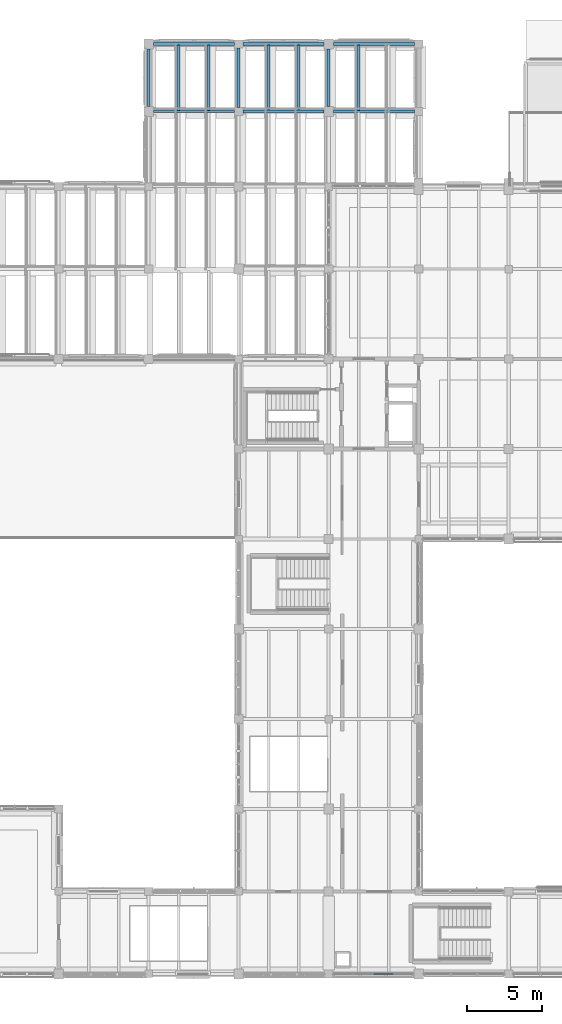
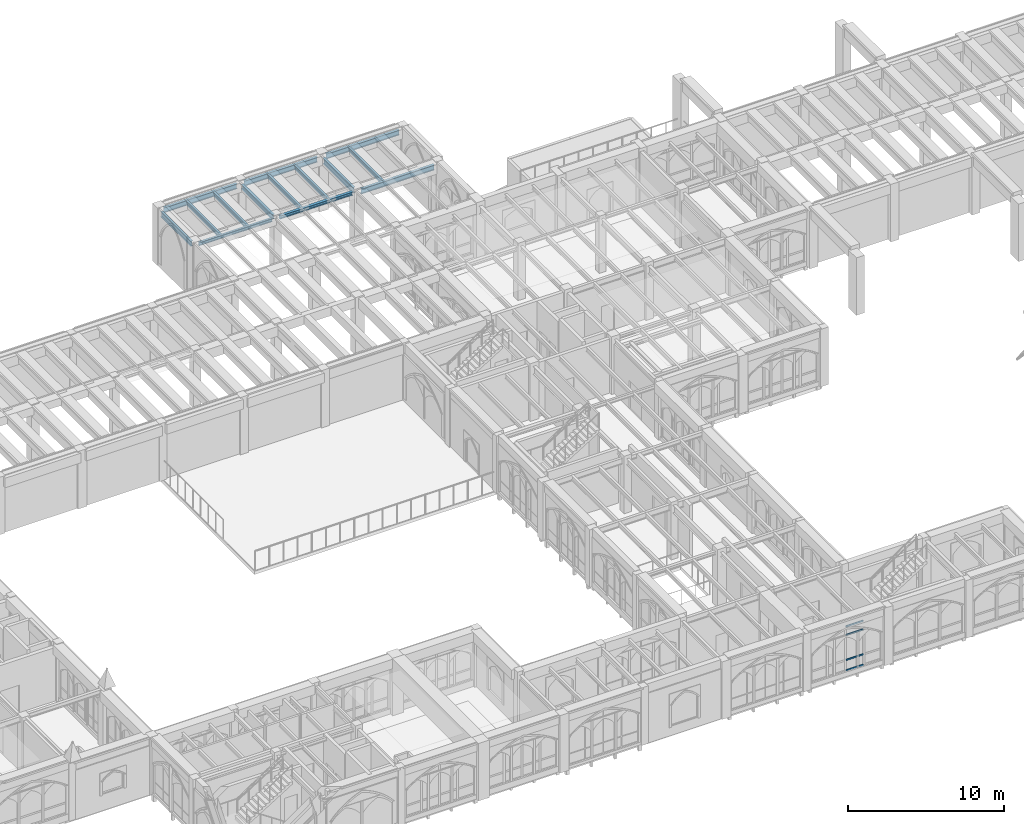
# One storey, part 35 of 127: 14 beams, 4 members, 1 element without a shape of its own.
"""IFC4 building model written with IfcOpenShell, lengths in metres."""

from ifc_helpers import new_model, si_unit, direction, frame, origin, origin_2d, place, context, subcontext, project, spatial, hollow_rectangle, i_section, extrude, material, layer, layer_set, material_profile, profile_set, type_object, element, aggregate, save


model = new_model("IFC4")

# Units and contexts
model_context = context("Model", 3, precision=1e-05, world=origin(), true_north=direction((0.0, 1.0)))
body_context = subcontext(model_context, "Body", "Model", "MODEL_VIEW")
ifc_project = project(units=[si_unit("LENGTHUNIT", "METRE"), si_unit("AREAUNIT", "SQUARE_METRE"), si_unit("VOLUMEUNIT", "CUBIC_METRE"), si_unit("PLANEANGLEUNIT", "RADIAN"), si_unit("MASSUNIT", "GRAM", prefix="KILO")], contexts=[model_context])

# Site, building, storey
site_placement = place(None, origin())
site = spatial("IfcSite", under=ifc_project, at=site_placement, CompositionType="ELEMENT")
building_placement = place(site_placement, origin())
building = spatial("IfcBuilding", under=site, at=building_placement, Name="Cumevento Cable Car Station", CompositionType="ELEMENT")
storey_placement = place(building_placement, frame((0.0, 0.0, 4.5)))
storey = spatial("IfcBuildingStorey", under=building, at=storey_placement, Name="L02", CompositionType="ELEMENT", Elevation=4.5)

# Curtain wall, members
ifc_material_1 = material(Name="Anodised Bronze Aluminium AW-6063-T6", Category="aluminium")
ifc_layer = layer(ifc_material_1, 0.23193359375)
ifc_layer_set = layer_set([ifc_layer], Name="Anodised Bronze Aluminium AW-6063-T6")
curtain_wall_type = type_object("IfcCurtainWallType", Name="Lancet Curtain Wall CW-13 1530", PredefinedType="NOTDEFINED", material=ifc_layer_set)
curtain_wall_placement = place(storey_placement, origin())
curtain_wall = element("IfcCurtainWall", 1, at=curtain_wall_placement, inside=storey, type_object=curtain_wall_type, Name="Lancet Curtain Wall CW-13 L02 #28", PredefinedType="NOTDEFINED")
ifc_material_2 = material(Name="Anodised Bronze Aluminium AW-6063-T6", Category="aluminium")
ifc_material_profile_1 = material_profile(ifc_material_2, hollow_rectangle(XDim=0.06494140625, YDim=0.1201171875, WallThickness=0.00390625, at=origin_2d()), Name="ALUT65x120x4")
ifc_profile_set_1 = profile_set([ifc_material_profile_1], Name="Anodised Bronze Aluminium AW-6063-T6")
member_type = type_object("IfcMemberType", Name="Curtain Transom CWT-01 ALUT65x120x4", PredefinedType="USERDEFINED", material=ifc_profile_set_1)
member_1_placement = place(storey_placement, frame((68.29248046875, 4.0, 0.392578125), z_axis=(-1.0, 0.0, 0.0), x_axis=(0.0, -1.0, 0.0)))
member_1 = element("IfcMember", 2, at=member_1_placement, type_object=member_type, Name="CW-13 transom 2.1", ObjectType="TRANSOM", PredefinedType="USERDEFINED", context=body_context, shape_type="SweptSolid", body=[
    extrude(hollow_rectangle(XDim=0.06494140625, YDim=0.1201171875, WallThickness=0.00390625, at=origin_2d()), origin(), (0.0, 0.0, 1.0), 1.284912109375),
])
member_2_placement = place(storey_placement, frame((68.29248046875, 4.0, 1.2099609375), z_axis=(-1.0, 0.0, 0.0), x_axis=(0.0, -1.0, 0.0)))
member_2 = element("IfcMember", 3, at=member_2_placement, type_object=member_type, Name="CW-13 transom 2.2", ObjectType="TRANSOM", PredefinedType="USERDEFINED", context=body_context, shape_type="SweptSolid", body=[
    extrude(hollow_rectangle(XDim=0.06494140625, YDim=0.1201171875, WallThickness=0.00390625, at=origin_2d()), origin(), (0.0, 0.0, 1.0), 1.284912109375),
])
member_3_placement = place(storey_placement, frame((68.29248046875, 4.0, 3.156982421875), z_axis=(-1.0, 0.0, 0.0), x_axis=(0.0, -1.0, 0.0)))
member_3 = element("IfcMember", 4, at=member_3_placement, type_object=member_type, Name="CW-13 transom 2.3", ObjectType="TRANSOM", PredefinedType="USERDEFINED", context=body_context, shape_type="SweptSolid", body=[
    extrude(hollow_rectangle(XDim=0.06494140625, YDim=0.1201171875, WallThickness=0.00390625, at=origin_2d()), origin(), (0.0, 0.0, 1.0), 1.284912109375),
])
member_4_placement = place(storey_placement, frame((68.29248046875, 4.0, 3.824462890625), z_axis=(-1.0, 0.0, 0.0), x_axis=(0.0, -1.0, 0.0)))
member_4 = element("IfcMember", 5, at=member_4_placement, type_object=member_type, Name="CW-13 transom 2.4", ObjectType="TRANSOM", PredefinedType="USERDEFINED", context=body_context, shape_type="SweptSolid", body=[
    extrude(hollow_rectangle(XDim=0.06494140625, YDim=0.1201171875, WallThickness=0.00390625, at=origin_2d()), origin(), (0.0, 0.0, 1.0), 1.284912109375),
])
aggregate(curtain_wall, [member_1, member_2, member_3, member_4])

# Beams
ifc_material_3 = material(Name="Steel ASTM A572 Grade 50", Category="steel")
ifc_material_profile_2 = material_profile(ifc_material_3, i_section(OverallWidth=0.18994140625, OverallDepth=0.45703125, WebThickness=0.009033203125, FlangeThickness=0.014404296875, at=origin_2d()), Name="W460x74.0")
ifc_profile_set_2 = profile_set([ifc_material_profile_2], Name="Steel ASTM A572 Grade 50")
beam_type_1 = type_object("IfcBeamType", Name="Structural Beam BM-04 W460x74.0", PredefinedType="BEAM", material=ifc_profile_set_2)
beam_1_placement = place(storey_placement, frame((64.0, 61.824951171875, 3.94140625), z_axis=(0.0, 1.0, 0.0), x_axis=(-1.0, 0.0, 0.0)))
element("IfcBeam", 6, at=beam_1_placement, inside=storey, type_object=beam_type_1, Name="Beam BM-04 L02 #647", PredefinedType="BEAM", context=body_context, shape_type="SweptSolid", body=[
    extrude(i_section(OverallWidth=0.18994140625, OverallDepth=0.45703125, WebThickness=0.009033203125, FlangeThickness=0.014404296875, at=origin_2d()), origin(), (0.0, 0.0, 1.0), 3.85009765625),
])
ifc_material_4 = material(Name="Steel ASTM A572 Grade 50", Category="steel")
ifc_material_profile_3 = material_profile(ifc_material_4, i_section(OverallWidth=0.205078125, OverallDepth=0.35400390625, WebThickness=0.009521484375, FlangeThickness=0.016845703125, at=origin_2d()), Name="W360x79.0")
ifc_profile_set_3 = profile_set([ifc_material_profile_3], Name="Steel ASTM A572 Grade 50")
beam_type_2 = type_object("IfcBeamType", Name="Structural Beam BM-05 W360x79.0", PredefinedType="BEAM", material=ifc_profile_set_3)
beam_2_placement = place(storey_placement, frame((58.0, 61.77490234375, 3.992919921875), z_axis=(0.0, 1.0, 0.0), x_axis=(-1.0, 0.0, 0.0)))
element("IfcBeam", 7, at=beam_2_placement, inside=storey, type_object=beam_type_2, Name="Beam BM-05 L02 #645", PredefinedType="BEAM", context=body_context, shape_type="SweptSolid", body=[
    extrude(i_section(OverallWidth=0.205078125, OverallDepth=0.35400390625, WebThickness=0.009521484375, FlangeThickness=0.016845703125, at=origin_2d()), origin(), (0.0, 0.0, 1.0), 3.9501953125),
])
ifc_material_5 = material(Name="Steel ASTM A572 Grade 50", Category="steel")
ifc_material_profile_4 = material_profile(ifc_material_5, i_section(OverallWidth=0.14794921875, OverallDepth=0.26611328125, WebThickness=0.007568359375, FlangeThickness=0.012939453125, at=origin_2d()), Name="W250x44.8")
ifc_profile_set_4 = profile_set([ifc_material_profile_4], Name="Steel ASTM A572 Grade 50")
beam_type_3 = type_object("IfcBeamType", Name="Structural Beam BM-07 W250x44.8", PredefinedType="BEAM", material=ifc_profile_set_4)
beam_3_placement = place(storey_placement, frame((52.324951171875, 61.5, 4.037109375), z_axis=(1.0, 0.0, 0.0), x_axis=(0.0, 1.0, 0.0)))
element("IfcBeam", 8, at=beam_3_placement, inside=storey, type_object=beam_type_3, Name="Beam BM-07 L02 #636", PredefinedType="BEAM", context=body_context, shape_type="SweptSolid", body=[
    extrude(i_section(OverallWidth=0.14794921875, OverallDepth=0.26611328125, WebThickness=0.007568359375, FlangeThickness=0.012939453125, at=origin_2d()), origin(), (0.0, 0.0, 1.0), 5.400146484375),
])
ifc_material_6 = material(Name="Steel ASTM A572 Grade 50", Category="steel")
ifc_material_profile_5 = material_profile(ifc_material_6, i_section(OverallWidth=0.202880859375, OverallDepth=0.251953125, WebThickness=0.008056640625, FlangeThickness=0.013427734375, at=origin_2d()), Name="W250x58.0")
ifc_profile_set_5 = profile_set([ifc_material_profile_5], Name="Steel ASTM A572 Grade 50")
beam_type_4 = type_object("IfcBeamType", Name="Structural Beam BM-08 W250x58.0", PredefinedType="BEAM", material=ifc_profile_set_5)
beam_4_placement = place(storey_placement, frame((58.27490234375, 61.5, 4.0439453125), z_axis=(1.0, 0.0, 0.0), x_axis=(0.0, 1.0, 0.0)))
element("IfcBeam", 9, at=beam_4_placement, inside=storey, type_object=beam_type_4, Name="Beam BM-08 L02 #637", PredefinedType="BEAM", context=body_context, shape_type="SweptSolid", body=[
    extrude(i_section(OverallWidth=0.202880859375, OverallDepth=0.251953125, WebThickness=0.008056640625, FlangeThickness=0.013427734375, at=origin_2d()), origin(), (0.0, 0.0, 1.0), 5.400146484375),
])
ifc_material_7 = material(Name="Steel ASTM A572 Grade 50", Category="steel")
ifc_material_profile_6 = material_profile(ifc_material_7, i_section(OverallWidth=0.179931640625, OverallDepth=0.4130859375, WebThickness=0.009765625, FlangeThickness=0.01611328125, at=origin_2d()), Name="W410x74.0")
ifc_profile_set_6 = profile_set([ifc_material_profile_6], Name="Steel ASTM A572 Grade 50")
beam_type_5 = type_object("IfcBeamType", Name="Structural Beam BM-09 W410x74.0", PredefinedType="BEAM", material=ifc_profile_set_6)
beam_5_placement = place(storey_placement, frame((64.324951171875, 61.5, 3.96337890625), z_axis=(1.0, 0.0, 0.0), x_axis=(0.0, 1.0, 0.0)))
element("IfcBeam", 10, at=beam_5_placement, inside=storey, type_object=beam_type_5, Name="Beam BM-09 L02 #638", PredefinedType="BEAM", context=body_context, shape_type="SweptSolid", body=[
    extrude(i_section(OverallWidth=0.179931640625, OverallDepth=0.4130859375, WebThickness=0.009765625, FlangeThickness=0.01611328125, at=origin_2d()), origin(), (0.0, 0.0, 1.0), 5.400146484375),
])
ifc_material_8 = material(Name="Steel ASTM A572 Grade 50", Category="steel")
ifc_material_profile_7 = material_profile(ifc_material_8, i_section(OverallWidth=0.1650390625, OverallDepth=0.31005859375, WebThickness=0.005859375, FlangeThickness=0.009765625, at=origin_2d()), Name="W310x38.7")
ifc_profile_set_7 = profile_set([ifc_material_profile_7], Name="Steel ASTM A572 Grade 50")
beam_type_6 = type_object("IfcBeamType", Name="Structural Joist JS-03 W310x38.7", PredefinedType="JOIST", material=ifc_profile_set_7)
for number, where, z_axis, x_axis, name in (
    (11, (54.0, 61.56201171875, 4.014892578125), (0.0, 1.0, 0.0), (-1.0, 0.0, 0.0), "Composite Floor Joist JS-03 L02 #855"),
    (12, (56.0, 61.56201171875, 4.014892578125), (0.0, 1.0, 0.0), (-1.0, 0.0, 0.0), "Composite Floor Joist JS-03 L02 #857"),
):
    element("IfcBeam", number, at=place(storey_placement, frame(where, z_axis=z_axis, x_axis=x_axis)), inside=storey, type_object=beam_type_6, Name=name, PredefinedType="JOIST", context=body_context, shape_type="SweptSolid", body=[
        extrude(i_section(OverallWidth=0.1650390625, OverallDepth=0.31005859375, WebThickness=0.005859375, FlangeThickness=0.009765625, at=origin_2d()), origin(), (0.0, 0.0, 1.0), 4.361083984375),
    ])
for number, where, z_axis, x_axis, name in (
    (13, (60.0, 61.589599609375, 4.014892578125), (0.0, 1.0, 0.0), (-1.0, 0.0, 0.0), "Composite Floor Joist JS-03 L02 #859"),
    (14, (62.0, 61.589599609375, 4.014892578125), (0.0, 1.0, 0.0), (-1.0, 0.0, 0.0), "Composite Floor Joist JS-03 L02 #861"),
):
    element("IfcBeam", number, at=place(storey_placement, frame(where, z_axis=z_axis, x_axis=x_axis)), inside=storey, type_object=beam_type_6, Name=name, PredefinedType="JOIST", context=body_context, shape_type="SweptSolid", body=[
        extrude(i_section(OverallWidth=0.1650390625, OverallDepth=0.31005859375, WebThickness=0.005859375, FlangeThickness=0.009765625, at=origin_2d()), origin(), (0.0, 0.0, 1.0), 4.33349609375),
    ])
beam_6_placement = place(storey_placement, frame((66.0, 61.577880859375, 4.014892578125), z_axis=(0.0, 1.0, 0.0), x_axis=(-1.0, 0.0, 0.0)))
element("IfcBeam", 15, at=beam_6_placement, inside=storey, type_object=beam_type_6, Name="Composite Floor Joist JS-03 L02 #863", PredefinedType="JOIST", context=body_context, shape_type="SweptSolid", body=[
    extrude(i_section(OverallWidth=0.1650390625, OverallDepth=0.31005859375, WebThickness=0.005859375, FlangeThickness=0.009765625, at=origin_2d()), origin(), (0.0, 0.0, 1.0), 4.34521484375),
])
ifc_material_9 = material(Name="Steel ASTM A572 Grade 50", Category="steel")
ifc_material_profile_8 = material_profile(ifc_material_9, i_section(OverallWidth=0.177978515625, OverallDepth=0.406982421875, WebThickness=0.0078125, FlangeThickness=0.0126953125, at=origin_2d()), Name="W410x60.0")
ifc_profile_set_8 = profile_set([ifc_material_profile_8], Name="Steel ASTM A572 Grade 50")
beam_type_7 = type_object("IfcBeamType", Name="Structural Spandrel SP-01 W410x60.0", PredefinedType="SPANDREL", material=ifc_profile_set_8)
for number, where, z_axis, x_axis, name in (
    (16, (52.324951171875, 66.0, 3.966552734375), (1.0, 0.0, 0.0), (0.0, 1.0, 0.0), "Beam SP-01 L02 #639"),
    (17, (58.27490234375, 66.0, 3.966552734375), (1.0, 0.0, 0.0), (0.0, 1.0, 0.0), "Beam SP-01 L02 #640"),
    (18, (64.324951171875, 66.0, 3.966552734375), (1.0, 0.0, 0.0), (0.0, 1.0, 0.0), "Beam SP-01 L02 #641"),
):
    element("IfcBeam", number, at=place(storey_placement, frame(where, z_axis=z_axis, x_axis=x_axis)), inside=storey, type_object=beam_type_7, Name=name, PredefinedType="SPANDREL", context=body_context, shape_type="SweptSolid", body=[
        extrude(i_section(OverallWidth=0.177978515625, OverallDepth=0.406982421875, WebThickness=0.0078125, FlangeThickness=0.0126953125, at=origin_2d()), origin(), (0.0, 0.0, 1.0), 5.400146484375),
    ])
beam_7_placement = place(storey_placement, frame((52.0, 61.824951171875, 3.966552734375), z_axis=(0.0, 1.0, 0.0), x_axis=(-1.0, 0.0, 0.0)))
element("IfcBeam", 19, at=beam_7_placement, inside=storey, type_object=beam_type_7, Name="Beam SP-01 L02 #643", PredefinedType="SPANDREL", context=body_context, shape_type="SweptSolid", body=[
    extrude(i_section(OverallWidth=0.177978515625, OverallDepth=0.406982421875, WebThickness=0.0078125, FlangeThickness=0.0126953125, at=origin_2d()), origin(), (0.0, 0.0, 1.0), 3.85009765625),
])

save(model, "model.ifc")
